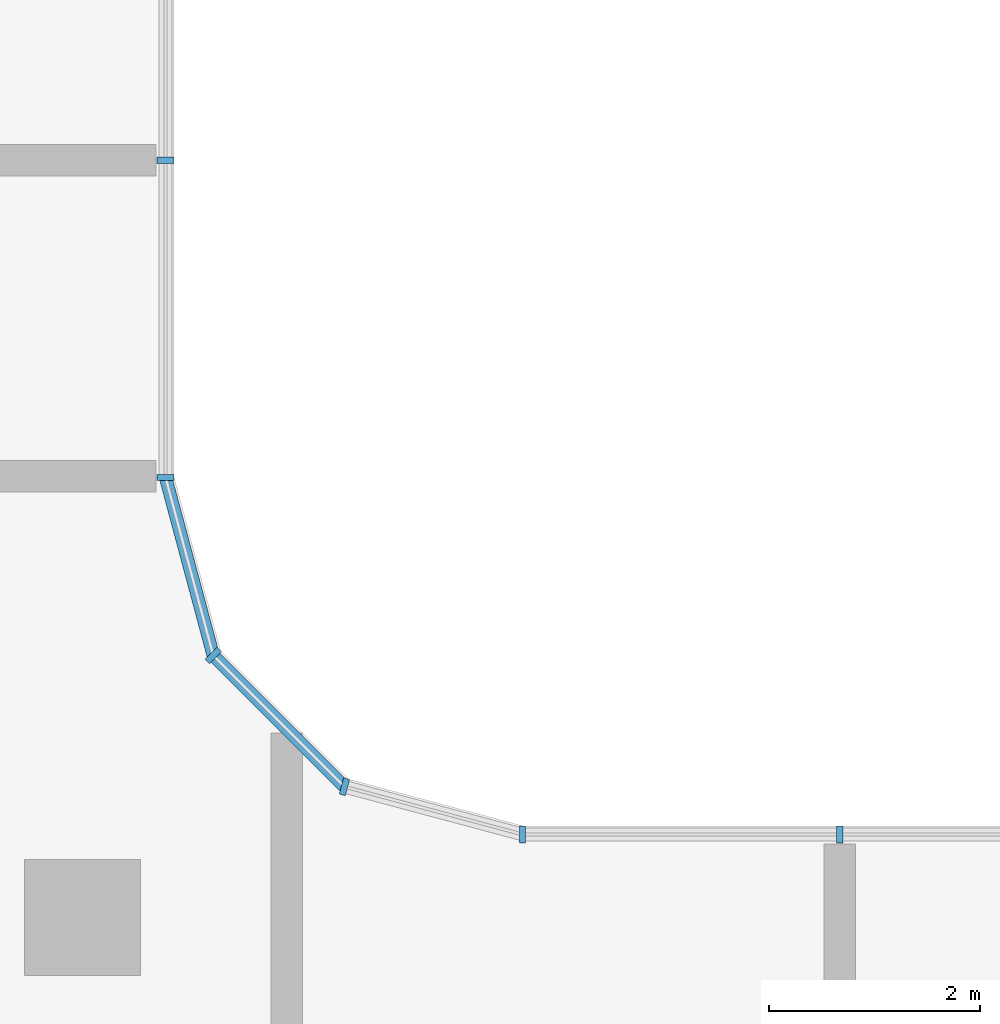
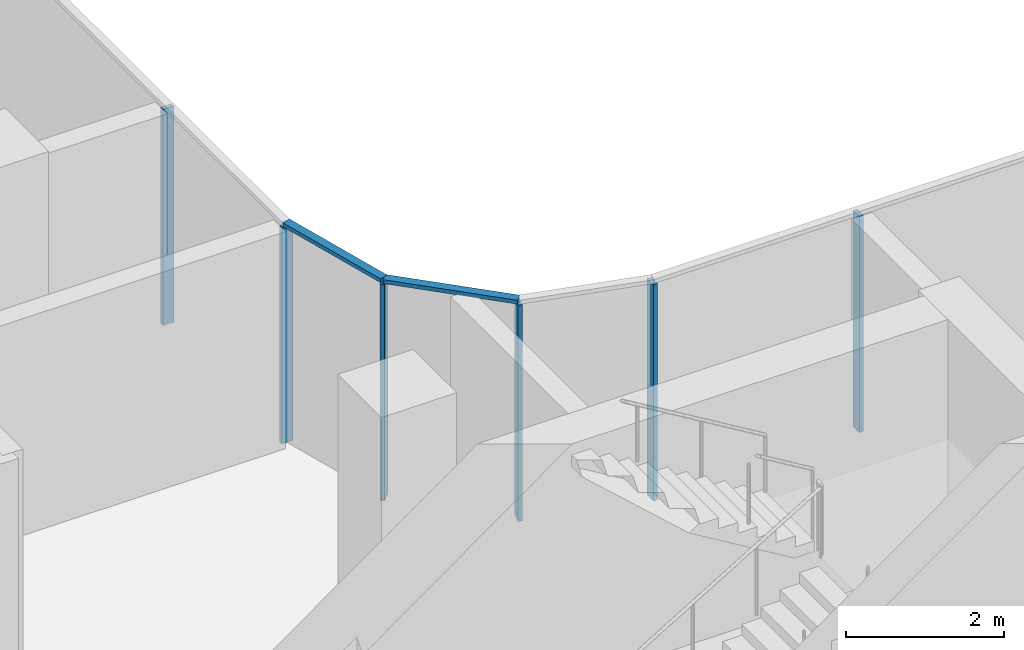
# One storey, part 2 of 23: 8 members, 3 elements without a shape of their own.
"""IFC4 building model written with IfcOpenShell, lengths in metres."""

from ifc_helpers import new_model, si_unit, direction, frame, origin, origin_2d, place, context, subcontext, project, spatial, rectangle, extrude, material, material_profile, profile_set, type_object, element, aggregate, save


model = new_model("IFC4")

# Units and contexts
model_context = context("Model", 3, precision=1e-05, world=origin(), true_north=direction((0.0, 1.0)))
body_context = subcontext(model_context, "Body", "Model", "MODEL_VIEW")
ifc_project = project(units=[si_unit("LENGTHUNIT", "METRE"), si_unit("AREAUNIT", "SQUARE_METRE"), si_unit("VOLUMEUNIT", "CUBIC_METRE"), si_unit("PLANEANGLEUNIT", "RADIAN"), si_unit("MASSUNIT", "GRAM", prefix="KILO")], contexts=[model_context])

# Site, building, storey
site_placement = place(None, origin())
site = spatial("IfcSite", under=ifc_project, at=site_placement, CompositionType="ELEMENT")
building_placement = place(site_placement, origin())
building = spatial("IfcBuilding", under=site, at=building_placement, Name="Ogive Portal Towers", CompositionType="ELEMENT")
storey_placement = place(building_placement, frame((0.0, 0.0, 186.60009765625)))
storey = spatial("IfcBuildingStorey", under=building, at=storey_placement, Name="L46", CompositionType="ELEMENT", Elevation=186.60009765625)

# Curtain wall, members
ifc_material_1 = material(Name="Glass, clear low-iron insulated glazing", Category="glass")
curtain_wall_type = type_object("IfcCurtainWallType", Name="CW FRONT RIBBON 4500", PredefinedType="NOTDEFINED", material=ifc_material_1)
curtain_wall_1_placement = place(storey_placement, origin())
curtain_wall_1 = element("IfcCurtainWall", 1, at=curtain_wall_1_placement, inside=storey, type_object=curtain_wall_type, Name="A:L46:f16:cw0", PredefinedType="NOTDEFINED")
ifc_material_2 = material(Name="Aluminium 6063 anodised", Category="aluminium")
ifc_material_profile_1 = material_profile(ifc_material_2, rectangle(XDim=0.159912109375, YDim=0.06005859375, at=origin_2d()), Name="AL 60x160")
ifc_profile_set_1 = profile_set([ifc_material_profile_1], Name="Aluminium 6063 anodised")
member_type_1 = type_object("IfcMemberType", Name="CW MULLION 60x160", PredefinedType="MULLION", material=ifc_profile_set_1)
member_1_placement = place(storey_placement, frame((58.5, 42.10009765625, 0.0), z_axis=(0.0, 0.0, 1.0), x_axis=(0.0, -1.0, 0.0)))
member_1 = element("IfcMember", 2, at=member_1_placement, type_object=member_type_1, Name="mullion", PredefinedType="MULLION", context=body_context, shape_type="SweptSolid", body=[
    extrude(rectangle(XDim=0.159912109375, YDim=0.06005859375, at=origin_2d()), origin(), (0.0, 0.0, 1.0), 3.33984375),
])
member_2_placement = place(storey_placement, frame((55.489501953125, 42.10009765625, 0.0), z_axis=(0.0, 0.0, 1.0), x_axis=(0.0, -1.0, 0.0)))
member_2 = element("IfcMember", 3, at=member_2_placement, type_object=member_type_1, Name="mullion", PredefinedType="MULLION", context=body_context, shape_type="SweptSolid", body=[
    extrude(rectangle(XDim=0.159912109375, YDim=0.06005859375, at=origin_2d()), origin(), (0.0, 0.0, 1.0), 3.33984375),
])
aggregate(curtain_wall_1, [member_1, member_2])

curtain_wall_2_placement = place(storey_placement, origin())
curtain_wall_2 = element("IfcCurtainWall", 4, at=curtain_wall_2_placement, inside=storey, type_object=curtain_wall_type, Name="A:L46:f20:cw0", PredefinedType="NOTDEFINED")
member_3_placement = place(storey_placement, frame((52.10009765625, 45.489501953125, 0.0), z_axis=(0.0, 0.0, 1.0), x_axis=(-1.0, 0.0, 0.0)))
member_3 = element("IfcMember", 5, at=member_3_placement, type_object=member_type_1, Name="mullion", PredefinedType="MULLION", context=body_context, shape_type="SweptSolid", body=[
    extrude(rectangle(XDim=0.159912109375, YDim=0.06005859375, at=origin_2d()), origin(), (0.0, 0.0, 1.0), 3.33984375),
])
member_4_placement = place(storey_placement, frame((52.10009765625, 48.5, 0.0), z_axis=(0.0, 0.0, 1.0), x_axis=(-1.0, 0.0, 0.0)))
member_4 = element("IfcMember", 6, at=member_4_placement, type_object=member_type_1, Name="mullion", PredefinedType="MULLION", context=body_context, shape_type="SweptSolid", body=[
    extrude(rectangle(XDim=0.159912109375, YDim=0.06005859375, at=origin_2d()), origin(), (0.0, 0.0, 1.0), 3.33984375),
])
aggregate(curtain_wall_2, [member_3, member_4])

curtain_wall_3_placement = place(storey_placement, origin())
curtain_wall_3 = element("IfcCurtainWall", 7, at=curtain_wall_3_placement, inside=storey, type_object=curtain_wall_type, Name="A:L46:f17:cwa", PredefinedType="NOTDEFINED")
member_5_placement = place(storey_placement, frame((53.798583984375, 42.552978515625, 0.0), z_axis=(0.0, 0.0, 1.0), x_axis=(-0.258819045103, -0.965925826289, 0.0)))
member_5 = element("IfcMember", 8, at=member_5_placement, type_object=member_type_1, Name="mullion", PredefinedType="MULLION", context=body_context, shape_type="SweptSolid", body=[
    extrude(rectangle(XDim=0.159912109375, YDim=0.06005859375, at=origin_2d()), origin(), (0.0, 0.0, 1.0), 3.33984375),
])
member_6_placement = place(storey_placement, frame((52.552978515625, 43.798583984375, 0.0), z_axis=(0.0, 0.0, 1.0), x_axis=(-0.707106781187, -0.707106781187, 0.0)))
member_6 = element("IfcMember", 9, at=member_6_placement, type_object=member_type_1, Name="mullion", PredefinedType="MULLION", context=body_context, shape_type="SweptSolid", body=[
    extrude(rectangle(XDim=0.159912109375, YDim=0.06005859375, at=origin_2d()), origin(), (0.0, 0.0, 1.0), 3.33984375),
])
ifc_material_profile_2 = material_profile(ifc_material_2, rectangle(XDim=0.1201171875, YDim=0.06005859375, at=origin_2d()), Name="AL 120x60")
ifc_profile_set_2 = profile_set([ifc_material_profile_2], Name="Aluminium 6063 anodised")
member_type_2 = type_object("IfcMemberType", Name="CW TRANSOM 60x120", PredefinedType="USERDEFINED", material=ifc_profile_set_2)
member_7_placement = place(storey_placement, frame((53.798583984375, 42.552978515625, 3.369873046875), z_axis=(-0.707106781187, 0.707106781187, 0.0), x_axis=(-0.707106781187, -0.707106781187, 0.0)))
member_7 = element("IfcMember", 10, at=member_7_placement, type_object=member_type_2, Name="transom", ObjectType="TRANSOM", PredefinedType="USERDEFINED", context=body_context, shape_type="SweptSolid", body=[
    extrude(rectangle(XDim=0.1201171875, YDim=0.06005859375, at=origin_2d()), origin(), (0.0, 0.0, 1.0), 1.761474609375),
])
member_8_placement = place(storey_placement, frame((52.552978515625, 43.798583984375, 3.369873046875), z_axis=(-0.258712847425, 0.965954275614, 0.0), x_axis=(-0.965954275614, -0.258712847425, 0.0)))
member_8 = element("IfcMember", 11, at=member_8_placement, type_object=member_type_2, Name="transom", ObjectType="TRANSOM", PredefinedType="USERDEFINED", context=body_context, shape_type="SweptSolid", body=[
    extrude(rectangle(XDim=0.1201171875, YDim=0.06005859375, at=origin_2d()), origin(), (0.0, 0.0, 1.0), 1.75048828125),
])
aggregate(curtain_wall_3, [member_7, member_8, member_5, member_6])

save(model, "model.ifc")
